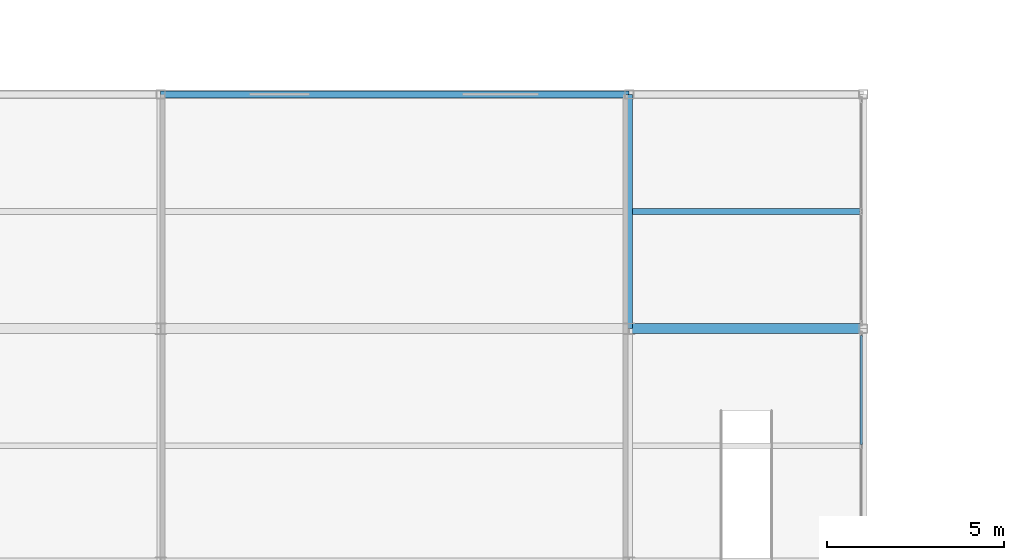
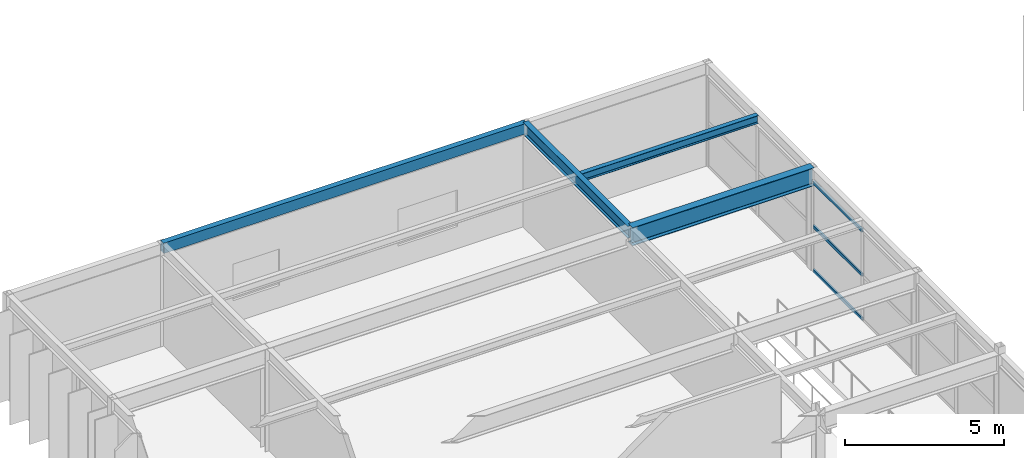
# One storey, part 81 of 157: 4 beams, 3 members, 1 element without a shape of its own.
"""IFC4 building model written with IfcOpenShell, lengths in metres."""

from ifc_helpers import new_model, si_unit, direction, frame, origin, origin_2d, place, context, subcontext, project, spatial, hollow_rectangle, i_section, extrude, material, material_profile, profile_set, type_object, element, aggregate, save


model = new_model("IFC4")

# Units and contexts
model_context = context("Model", 3, precision=1e-05, world=origin(), true_north=direction((0.0, 1.0)))
body_context = subcontext(model_context, "Body", "Model", "MODEL_VIEW")
ifc_project = project(units=[si_unit("LENGTHUNIT", "METRE"), si_unit("AREAUNIT", "SQUARE_METRE"), si_unit("VOLUMEUNIT", "CUBIC_METRE"), si_unit("PLANEANGLEUNIT", "RADIAN"), si_unit("MASSUNIT", "GRAM", prefix="KILO")], contexts=[model_context])

# Site, building, storey
site_placement = place(None, origin())
site = spatial("IfcSite", under=ifc_project, at=site_placement, CompositionType="ELEMENT")
building_placement = place(site_placement, origin())
building = spatial("IfcBuilding", under=site, at=building_placement, Name="Karori Crest Natural Sciences Institute", CompositionType="ELEMENT")
storey_placement = place(building_placement, frame((0.0, 0.0, 13.300048828125)))
storey = spatial("IfcBuildingStorey", under=building, at=storey_placement, Name="L03", CompositionType="ELEMENT", Elevation=13.300048828125)

# Beams
ifc_material_1 = material(Name="Structural steel AS/NZS 3679.1 Grade 350", Category="steel")
ifc_material_profile_1 = material_profile(ifc_material_1, i_section(OverallWidth=0.27490234375, OverallDepth=0.699951171875, WebThickness=0.010009765625, FlangeThickness=0.02001953125, FilletRadius=0.013916015625, at=origin_2d()), Name="700WB150")
ifc_profile_set_1 = profile_set([ifc_material_profile_1], Name="Structural steel AS/NZS 3679.1 Grade 350")
beam_type_1 = type_object("IfcBeamType", Name="BT-03", PredefinedType="BEAM", material=ifc_profile_set_1)
beam_1_placement = place(storey_placement, frame((20.60009765625, 66.800048828125, 3.570068359375), z_axis=(1.0, 0.0, 0.0), x_axis=(0.0, 1.0, 0.0)))
element("IfcBeam", 1, at=beam_1_placement, inside=storey, type_object=beam_type_1, Name="Beam B-1157", PredefinedType="BEAM", context=body_context, shape_type="SweptSolid", body=[
    extrude(i_section(OverallWidth=0.27490234375, OverallDepth=0.699951171875, WebThickness=0.010009765625, FlangeThickness=0.02001953125, FilletRadius=0.013916015625, at=origin_2d()), origin(), (0.0, 0.0, 1.0), 6.599853515625),
])
ifc_material_profile_2 = material_profile(ifc_material_1, i_section(OverallWidth=0.19091796875, OverallDepth=0.4599609375, WebThickness=0.010009765625, FlangeThickness=0.01611328125, FilletRadius=0.010986328125, at=origin_2d()), Name="460UB82.1")
ifc_profile_set_2 = profile_set([ifc_material_profile_2], Name="Structural steel AS/NZS 3679.1 Grade 350")
beam_type_2 = type_object("IfcBeamType", Name="BT-06", PredefinedType="BEAM", material=ifc_profile_set_2)
beam_2_placement = place(storey_placement, frame((20.60009765625, 66.800048828125, 3.68994140625), z_axis=(0.0, 1.0, 0.0), x_axis=(-1.0, 0.0, 0.0)))
element("IfcBeam", 2, at=beam_2_placement, inside=storey, type_object=beam_type_2, Name="Beam B-1181", PredefinedType="BEAM", context=body_context, shape_type="SweptSolid", body=[
    extrude(i_section(OverallWidth=0.19091796875, OverallDepth=0.4599609375, WebThickness=0.010009765625, FlangeThickness=0.01611328125, FilletRadius=0.010986328125, at=origin_2d()), origin(), (0.0, 0.0, 1.0), 6.599853515625),
])
ifc_material_profile_3 = material_profile(ifc_material_1, i_section(OverallWidth=0.166015625, OverallDepth=0.306884765625, WebThickness=0.006591796875, FlangeThickness=0.01171875, FilletRadius=0.010986328125, at=origin_2d()), Name="310UB46.2")
ifc_profile_set_3 = profile_set([ifc_material_profile_3], Name="Structural steel AS/NZS 3679.1 Grade 350")
beam_type_3 = type_object("IfcBeamType", Name="BT-09", PredefinedType="BEAM", material=ifc_profile_set_3)
beam_3_placement = place(storey_placement, frame((20.695556640625, 70.10009765625, 3.766357421875), z_axis=(1.0, 0.0, 0.0), x_axis=(0.0, 1.0, 0.0)))
element("IfcBeam", 3, at=beam_3_placement, inside=storey, type_object=beam_type_3, Name="Beam B-1206", PredefinedType="BEAM", context=body_context, shape_type="SweptSolid", body=[
    extrude(i_section(OverallWidth=0.166015625, OverallDepth=0.306884765625, WebThickness=0.006591796875, FlangeThickness=0.01171875, FilletRadius=0.010986328125, at=origin_2d()), origin(), (0.0, 0.0, 1.0), 6.408935546875),
])
ifc_material_2 = material(Name="Hollow structural steel AS/NZS 1163 Grade C350", Category="steel")
ifc_material_profile_4 = material_profile(ifc_material_2, hollow_rectangle(XDim=0.199951171875, YDim=0.39990234375, WallThickness=0.012451171875, at=origin_2d()), Name="RHS400x200x12.5")
ifc_profile_set_4 = profile_set([ifc_material_profile_4], Name="Hollow structural steel AS/NZS 1163 Grade C350")
beam_type_4 = type_object("IfcBeamType", Name="BT-14", PredefinedType="SPANDREL", material=ifc_profile_set_4)
beam_4_placement = place(storey_placement, frame((7.39990234375, 73.39990234375, 3.719970703125), z_axis=(1.0, 0.0, 0.0), x_axis=(0.0, 1.0, 0.0)))
element("IfcBeam", 4, at=beam_4_placement, inside=storey, type_object=beam_type_4, Name="Beam B-1159", PredefinedType="SPANDREL", context=body_context, shape_type="SweptSolid", body=[
    extrude(hollow_rectangle(XDim=0.199951171875, YDim=0.39990234375, WallThickness=0.012451171875, at=origin_2d()), origin(), (0.0, 0.0, 1.0), 13.2001953125),
])

# Curtain wall, members
ifc_material_3 = material(Name="Anodised architectural aluminium 6063-T6", Category="aluminium")
curtain_wall_type = type_object("IfcCurtainWallType", Name="CWT-18", PredefinedType="NOTDEFINED", material=ifc_material_3)
curtain_wall_placement = place(storey_placement, origin())
curtain_wall = element("IfcCurtainWall", 5, at=curtain_wall_placement, inside=storey, type_object=curtain_wall_type, Name="Curtain wall CW-0284", PredefinedType="NOTDEFINED")
ifc_material_profile_5 = material_profile(ifc_material_3, hollow_rectangle(XDim=0.06005859375, YDim=0.1201171875, WallThickness=0.00390625, at=origin_2d()), Name="CWT120x60x4")
ifc_profile_set_5 = profile_set([ifc_material_profile_5], Name="Anodised architectural aluminium 6063-T6")
member_type = type_object("IfcMemberType", Name="CWT-TR1", PredefinedType="USERDEFINED", material=ifc_profile_set_5)
member_1_placement = place(storey_placement, frame((27.139892578125, 66.612060546875, 0.030029296875), z_axis=(0.0, -1.0, 0.0), x_axis=(1.0, 0.0, 0.0)))
member_1 = element("IfcMember", 6, at=member_1_placement, type_object=member_type, Name="CW-0284 transom 1.1", ObjectType="TRANSOM", PredefinedType="USERDEFINED", context=body_context, shape_type="SweptSolid", body=[
    extrude(hollow_rectangle(XDim=0.06005859375, YDim=0.1201171875, WallThickness=0.00390625, at=origin_2d()), origin(), (0.0, 0.0, 1.0), 3.07958984375),
])
member_2_placement = place(storey_placement, frame((27.139892578125, 66.612060546875, 1.722412109375), z_axis=(0.0, -1.0, 0.0), x_axis=(1.0, 0.0, 0.0)))
member_2 = element("IfcMember", 7, at=member_2_placement, type_object=member_type, Name="CW-0284 transom 1.2", ObjectType="TRANSOM", PredefinedType="USERDEFINED", context=body_context, shape_type="SweptSolid", body=[
    extrude(hollow_rectangle(XDim=0.06005859375, YDim=0.1201171875, WallThickness=0.00390625, at=origin_2d()), origin(), (0.0, 0.0, 1.0), 3.07958984375),
])
member_3_placement = place(storey_placement, frame((27.139892578125, 66.612060546875, 3.4150390625), z_axis=(0.0, -1.0, 0.0), x_axis=(1.0, 0.0, 0.0)))
member_3 = element("IfcMember", 8, at=member_3_placement, type_object=member_type, Name="CW-0284 transom 1.3", ObjectType="TRANSOM", PredefinedType="USERDEFINED", context=body_context, shape_type="SweptSolid", body=[
    extrude(hollow_rectangle(XDim=0.06005859375, YDim=0.1201171875, WallThickness=0.00390625, at=origin_2d()), origin(), (0.0, 0.0, 1.0), 3.07958984375),
])
aggregate(curtain_wall, [member_1, member_2, member_3])

save(model, "model.ifc")
